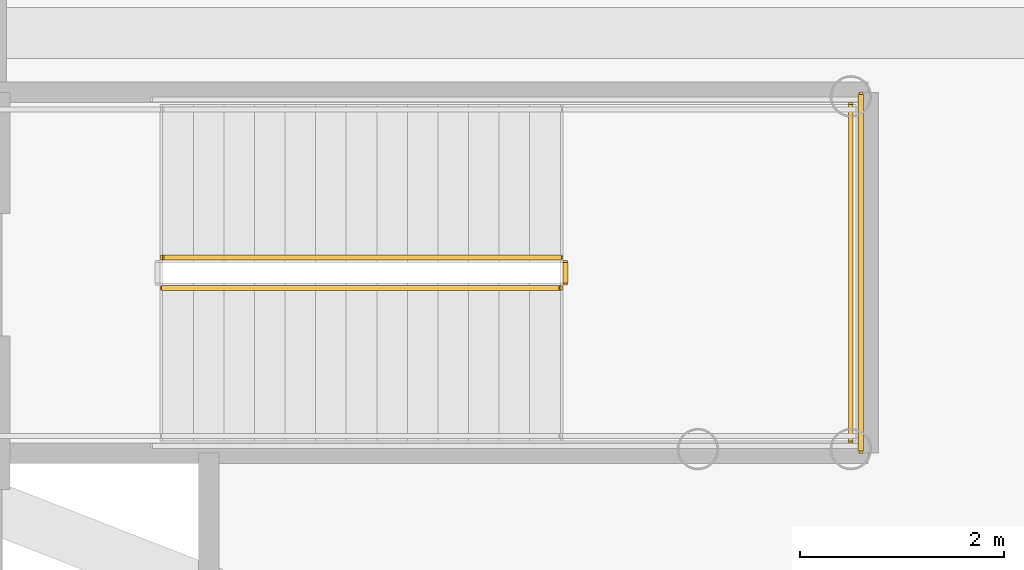
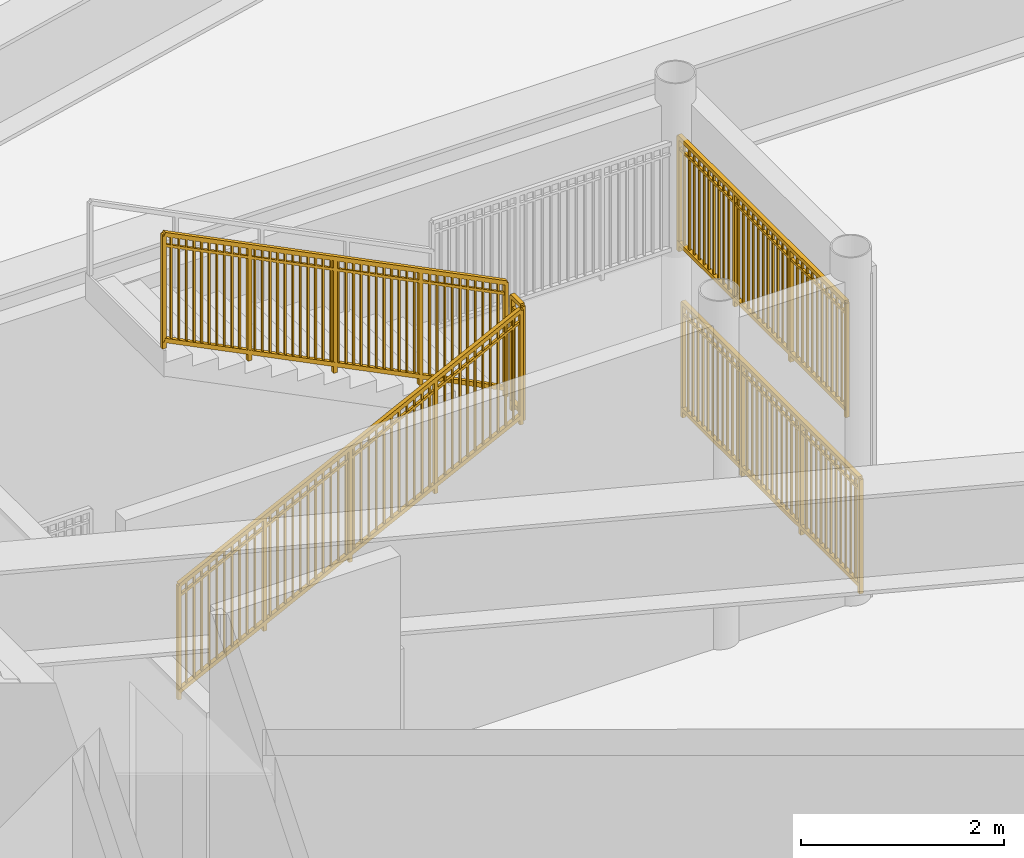
# One storey, part 26 of 27: 5 railings.
"""IFC4 building model written with IfcOpenShell, lengths in metres."""

from ifc_helpers import new_model, si_unit, direction, frame, origin, origin_2d, place, context, subcontext, project, spatial, rectangle, extrude, source, transform, mapped, material, type_object, element, save


model = new_model("IFC4")

# Units and contexts
model_context = context("Model", 3, precision=1e-05, world=origin(), true_north=direction((0.0, 1.0)))
body_context = subcontext(model_context, "Body", "Model", "MODEL_VIEW")
ifc_project = project(units=[si_unit("LENGTHUNIT", "METRE"), si_unit("AREAUNIT", "SQUARE_METRE"), si_unit("VOLUMEUNIT", "CUBIC_METRE"), si_unit("PLANEANGLEUNIT", "RADIAN"), si_unit("MASSUNIT", "GRAM", prefix="KILO")], contexts=[model_context])

# Site, building, storey
site_placement = place(None, origin())
site = spatial("IfcSite", under=ifc_project, at=site_placement, CompositionType="ELEMENT")
building_placement = place(site_placement, origin())
building = spatial("IfcBuilding", under=site, at=building_placement, Name="Linh Dai School and Residence Tower", CompositionType="ELEMENT")
storey_placement = place(building_placement, frame((0.0, 0.0, 22.800048828125)))
storey = spatial("IfcBuildingStorey", under=building, at=storey_placement, Name="L05", CompositionType="ELEMENT", Elevation=22.800048828125)

# Railings
ifc_material = material(Name="Structural Steel S355JR", Category="steel")
railing_type = type_object("IfcRailingType", Name="RL-ST-GUARD-1400", PredefinedType="GUARDRAIL", material=ifc_material)
shared_shape_1 = source(origin(), body_context, "Body", "SweptSolid", [
    extrude(rectangle(XDim=0.048095703125, YDim=0.048095703125, at=origin_2d()), frame((0.0, 0.0, 1.3759765625), z_axis=(0.894427191, 0.0, 0.4472135955), x_axis=(0.0, 1.0, 0.0)), (0.0, 0.0, 1.0), 4.360107421875),
    extrude(rectangle(XDim=0.048095703125, YDim=0.048095703125, at=origin_2d()), frame((0.0, 0.0, 0.10009765625), z_axis=(0.894427191, 0.0, 0.4472135955), x_axis=(0.0, 1.0, 0.0)), (0.0, 0.0, 1.0), 4.360107421875),
    extrude(rectangle(XDim=0.030029296875, YDim=0.030029296875, at=origin_2d()), frame((0.0, 0.0, 1.239990234375), z_axis=(0.894427191, 0.0, 0.4472135955), x_axis=(0.0, 1.0, 0.0)), (0.0, 0.0, 1.0), 4.360107421875),
    extrude(rectangle(XDim=0.02001953125, YDim=0.02001953125, at=origin_2d()), frame((0.086669921875, 0.0, 0.143310546875)), (0.0, 0.0, 1.0), 1.251708984375),
    extrude(rectangle(XDim=0.02001953125, YDim=0.02001953125, at=origin_2d()), frame((0.17333984375, 0.0, 0.186767578125)), (0.0, 0.0, 1.0), 1.251708984375),
    extrude(rectangle(XDim=0.02001953125, YDim=0.02001953125, at=origin_2d()), frame((0.260009765625, 0.0, 0.22998046875)), (0.0, 0.0, 1.0), 1.251708984375),
    extrude(rectangle(XDim=0.02001953125, YDim=0.02001953125, at=origin_2d()), frame((0.3466796875, 0.0, 0.2734375)), (0.0, 0.0, 1.0), 1.251708984375),
    extrude(rectangle(XDim=0.02001953125, YDim=0.02001953125, at=origin_2d()), frame((0.433349609375, 0.0, 0.316650390625)), (0.0, 0.0, 1.0), 1.251708984375),
    extrude(rectangle(XDim=0.02001953125, YDim=0.02001953125, at=origin_2d()), frame((0.52001953125, 0.0, 0.360107421875)), (0.0, 0.0, 1.0), 1.251708984375),
    extrude(rectangle(XDim=0.02001953125, YDim=0.02001953125, at=origin_2d()), frame((0.606689453125, 0.0, 0.4033203125)), (0.0, 0.0, 1.0), 1.251708984375),
    extrude(rectangle(XDim=0.02001953125, YDim=0.02001953125, at=origin_2d()), frame((0.693359375, 0.0, 0.44677734375)), (0.0, 0.0, 1.0), 1.251708984375),
    extrude(rectangle(XDim=0.02001953125, YDim=0.02001953125, at=origin_2d()), frame((0.780029296875, 0.0, 0.489990234375)), (0.0, 0.0, 1.0), 1.251708984375),
    extrude(rectangle(XDim=0.02001953125, YDim=0.02001953125, at=origin_2d()), frame((0.86669921875, 0.0, 0.533447265625)), (0.0, 0.0, 1.0), 1.251708984375),
    extrude(rectangle(XDim=0.02001953125, YDim=0.02001953125, at=origin_2d()), frame((1.0400390625, 0.0, 0.6201171875)), (0.0, 0.0, 1.0), 1.251708984375),
    extrude(rectangle(XDim=0.02001953125, YDim=0.02001953125, at=origin_2d()), frame((1.126708984375, 0.0, 0.663330078125)), (0.0, 0.0, 1.0), 1.251708984375),
    extrude(rectangle(XDim=0.02001953125, YDim=0.02001953125, at=origin_2d()), frame((1.21337890625, 0.0, 0.706787109375)), (0.0, 0.0, 1.0), 1.251708984375),
    extrude(rectangle(XDim=0.02001953125, YDim=0.02001953125, at=origin_2d()), frame((1.300048828125, 0.0, 0.75)), (0.0, 0.0, 1.0), 1.251708984375),
    extrude(rectangle(XDim=0.02001953125, YDim=0.02001953125, at=origin_2d()), frame((1.38671875, 0.0, 0.79345703125)), (0.0, 0.0, 1.0), 1.251708984375),
    extrude(rectangle(XDim=0.02001953125, YDim=0.02001953125, at=origin_2d()), frame((1.473388671875, 0.0, 0.836669921875)), (0.0, 0.0, 1.0), 1.251708984375),
    extrude(rectangle(XDim=0.02001953125, YDim=0.02001953125, at=origin_2d()), frame((1.56005859375, 0.0, 0.880126953125)), (0.0, 0.0, 1.0), 1.251708984375),
    extrude(rectangle(XDim=0.02001953125, YDim=0.02001953125, at=origin_2d()), frame((1.646728515625, 0.0, 0.92333984375)), (0.0, 0.0, 1.0), 1.251708984375),
    extrude(rectangle(XDim=0.02001953125, YDim=0.02001953125, at=origin_2d()), frame((1.7333984375, 0.0, 0.966796875)), (0.0, 0.0, 1.0), 1.251708984375),
    extrude(rectangle(XDim=0.02001953125, YDim=0.02001953125, at=origin_2d()), frame((1.820068359375, 0.0, 1.010009765625)), (0.0, 0.0, 1.0), 1.251708984375),
    extrude(rectangle(XDim=0.02001953125, YDim=0.02001953125, at=origin_2d()), frame((1.90673828125, 0.0, 1.053466796875)), (0.0, 0.0, 1.0), 1.251708984375),
    extrude(rectangle(XDim=0.02001953125, YDim=0.02001953125, at=origin_2d()), frame((1.9931640625, 0.0, 1.0966796875)), (0.0, 0.0, 1.0), 1.251708984375),
    extrude(rectangle(XDim=0.02001953125, YDim=0.02001953125, at=origin_2d()), frame((2.079833984375, 0.0, 1.14013671875)), (0.0, 0.0, 1.0), 1.251708984375),
    extrude(rectangle(XDim=0.02001953125, YDim=0.02001953125, at=origin_2d()), frame((2.16650390625, 0.0, 1.183349609375)), (0.0, 0.0, 1.0), 1.251708984375),
    extrude(rectangle(XDim=0.02001953125, YDim=0.02001953125, at=origin_2d()), frame((2.253173828125, 0.0, 1.226806640625)), (0.0, 0.0, 1.0), 1.251708984375),
    extrude(rectangle(XDim=0.02001953125, YDim=0.02001953125, at=origin_2d()), frame((2.33984375, 0.0, 1.27001953125)), (0.0, 0.0, 1.0), 1.251708984375),
    extrude(rectangle(XDim=0.02001953125, YDim=0.02001953125, at=origin_2d()), frame((2.426513671875, 0.0, 1.3134765625)), (0.0, 0.0, 1.0), 1.251708984375),
    extrude(rectangle(XDim=0.02001953125, YDim=0.02001953125, at=origin_2d()), frame((2.51318359375, 0.0, 1.356689453125)), (0.0, 0.0, 1.0), 1.251708984375),
    extrude(rectangle(XDim=0.02001953125, YDim=0.02001953125, at=origin_2d()), frame((2.599853515625, 0.0, 1.400146484375)), (0.0, 0.0, 1.0), 1.251708984375),
    extrude(rectangle(XDim=0.02001953125, YDim=0.02001953125, at=origin_2d()), frame((2.6865234375, 0.0, 1.443359375)), (0.0, 0.0, 1.0), 1.251708984375),
    extrude(rectangle(XDim=0.02001953125, YDim=0.02001953125, at=origin_2d()), frame((2.773193359375, 0.0, 1.48681640625)), (0.0, 0.0, 1.0), 1.251708984375),
    extrude(rectangle(XDim=0.02001953125, YDim=0.02001953125, at=origin_2d()), frame((2.85986328125, 0.0, 1.530029296875)), (0.0, 0.0, 1.0), 1.251708984375),
    extrude(rectangle(XDim=0.02001953125, YDim=0.02001953125, at=origin_2d()), frame((3.033203125, 0.0, 1.61669921875)), (0.0, 0.0, 1.0), 1.251708984375),
    extrude(rectangle(XDim=0.02001953125, YDim=0.02001953125, at=origin_2d()), frame((3.119873046875, 0.0, 1.66015625)), (0.0, 0.0, 1.0), 1.251708984375),
    extrude(rectangle(XDim=0.02001953125, YDim=0.02001953125, at=origin_2d()), frame((3.20654296875, 0.0, 1.703369140625)), (0.0, 0.0, 1.0), 1.251708984375),
    extrude(rectangle(XDim=0.02001953125, YDim=0.02001953125, at=origin_2d()), frame((3.293212890625, 0.0, 1.746826171875)), (0.0, 0.0, 1.0), 1.251708984375),
    extrude(rectangle(XDim=0.02001953125, YDim=0.02001953125, at=origin_2d()), frame((3.3798828125, 0.0, 1.7900390625)), (0.0, 0.0, 1.0), 1.251708984375),
    extrude(rectangle(XDim=0.02001953125, YDim=0.02001953125, at=origin_2d()), frame((3.466552734375, 0.0, 1.83349609375)), (0.0, 0.0, 1.0), 1.251708984375),
    extrude(rectangle(XDim=0.02001953125, YDim=0.02001953125, at=origin_2d()), frame((3.55322265625, 0.0, 1.876708984375)), (0.0, 0.0, 1.0), 1.251708984375),
    extrude(rectangle(XDim=0.02001953125, YDim=0.02001953125, at=origin_2d()), frame((3.639892578125, 0.0, 1.920166015625)), (0.0, 0.0, 1.0), 1.251708984375),
    extrude(rectangle(XDim=0.02001953125, YDim=0.02001953125, at=origin_2d()), frame((3.7265625, 0.0, 1.96337890625)), (0.0, 0.0, 1.0), 1.251708984375),
    extrude(rectangle(XDim=0.02001953125, YDim=0.02001953125, at=origin_2d()), frame((3.813232421875, 0.0, 2.0068359375)), (0.0, 0.0, 1.0), 1.251708984375),
    extrude(rectangle(XDim=0.0419921875, YDim=0.0419921875, at=origin_2d()), origin(), (0.0, 0.0, 1.0), 1.3759765625),
    extrude(rectangle(XDim=0.0419921875, YDim=0.0419921875, at=origin_2d()), frame((0.97509765625, 0.0, 0.487548828125)), (0.0, 0.0, 1.0), 1.3759765625),
    extrude(rectangle(XDim=0.0419921875, YDim=0.0419921875, at=origin_2d()), frame((1.949951171875, 0.0, 0.97509765625)), (0.0, 0.0, 1.0), 1.3759765625),
    extrude(rectangle(XDim=0.0419921875, YDim=0.0419921875, at=origin_2d()), frame((2.9248046875, 0.0, 1.46240234375)), (0.0, 0.0, 1.0), 1.3759765625),
    extrude(rectangle(XDim=0.0419921875, YDim=0.0419921875, at=origin_2d()), frame((3.89990234375, 0.0, 1.949951171875)), (0.0, 0.0, 1.0), 1.3759765625),
])
railing_1_placement = place(storey_placement, frame((49.60009765625, 24.5, 0.14990234375)))
element("IfcRailing", 1, at=railing_1_placement, inside=storey, type_object=railing_type, Name="L05 STS2 stair guard 1", PredefinedType="GUARDRAIL", context=body_context, shape_type="MappedRepresentation", body=[
    mapped(shared_shape_1, transform((0.0, 0.0, 0.0), x_axis=(1.0, 0.0, 0.0), y_axis=(0.0, 1.0, 0.0), z_axis=(0.0, 0.0, 1.0), scale=1.0)),
])
shared_shape_2 = source(origin(), body_context, "Body", "SweptSolid", [
    extrude(rectangle(XDim=0.048095703125, YDim=0.048095703125, at=origin_2d()), frame((0.0, 0.0, 1.3759765625), z_axis=(-0.894427191, 0.0, 0.4472135955), x_axis=(0.0, -1.0, 0.0)), (0.0, 0.0, 1.0), 4.360107421875),
    extrude(rectangle(XDim=0.048095703125, YDim=0.048095703125, at=origin_2d()), frame((0.0, 0.0, 0.10009765625), z_axis=(-0.894427191, 0.0, 0.4472135955), x_axis=(0.0, -1.0, 0.0)), (0.0, 0.0, 1.0), 4.360107421875),
    extrude(rectangle(XDim=0.030029296875, YDim=0.030029296875, at=origin_2d()), frame((0.0, 0.0, 1.239990234375), z_axis=(-0.894427191, 0.0, 0.4472135955), x_axis=(0.0, -1.0, 0.0)), (0.0, 0.0, 1.0), 4.360107421875),
    extrude(rectangle(XDim=0.02001953125, YDim=0.02001953125, at=origin_2d()), frame((-0.086669921875, 0.0, 0.143310546875)), (0.0, 0.0, 1.0), 1.251708984375),
    extrude(rectangle(XDim=0.02001953125, YDim=0.02001953125, at=origin_2d()), frame((-0.17333984375, 0.0, 0.186767578125)), (0.0, 0.0, 1.0), 1.251708984375),
    extrude(rectangle(XDim=0.02001953125, YDim=0.02001953125, at=origin_2d()), frame((-0.260009765625, 0.0, 0.22998046875)), (0.0, 0.0, 1.0), 1.251708984375),
    extrude(rectangle(XDim=0.02001953125, YDim=0.02001953125, at=origin_2d()), frame((-0.3466796875, 0.0, 0.2734375)), (0.0, 0.0, 1.0), 1.251708984375),
    extrude(rectangle(XDim=0.02001953125, YDim=0.02001953125, at=origin_2d()), frame((-0.433349609375, 0.0, 0.316650390625)), (0.0, 0.0, 1.0), 1.251708984375),
    extrude(rectangle(XDim=0.02001953125, YDim=0.02001953125, at=origin_2d()), frame((-0.52001953125, 0.0, 0.360107421875)), (0.0, 0.0, 1.0), 1.251708984375),
    extrude(rectangle(XDim=0.02001953125, YDim=0.02001953125, at=origin_2d()), frame((-0.606689453125, 0.0, 0.4033203125)), (0.0, 0.0, 1.0), 1.251708984375),
    extrude(rectangle(XDim=0.02001953125, YDim=0.02001953125, at=origin_2d()), frame((-0.693359375, 0.0, 0.44677734375)), (0.0, 0.0, 1.0), 1.251708984375),
    extrude(rectangle(XDim=0.02001953125, YDim=0.02001953125, at=origin_2d()), frame((-0.780029296875, 0.0, 0.489990234375)), (0.0, 0.0, 1.0), 1.251708984375),
    extrude(rectangle(XDim=0.02001953125, YDim=0.02001953125, at=origin_2d()), frame((-0.86669921875, 0.0, 0.533447265625)), (0.0, 0.0, 1.0), 1.251708984375),
    extrude(rectangle(XDim=0.02001953125, YDim=0.02001953125, at=origin_2d()), frame((-1.0400390625, 0.0, 0.6201171875)), (0.0, 0.0, 1.0), 1.251708984375),
    extrude(rectangle(XDim=0.02001953125, YDim=0.02001953125, at=origin_2d()), frame((-1.126708984375, 0.0, 0.663330078125)), (0.0, 0.0, 1.0), 1.251708984375),
    extrude(rectangle(XDim=0.02001953125, YDim=0.02001953125, at=origin_2d()), frame((-1.21337890625, 0.0, 0.706787109375)), (0.0, 0.0, 1.0), 1.251708984375),
    extrude(rectangle(XDim=0.02001953125, YDim=0.02001953125, at=origin_2d()), frame((-1.300048828125, 0.0, 0.75)), (0.0, 0.0, 1.0), 1.251708984375),
    extrude(rectangle(XDim=0.02001953125, YDim=0.02001953125, at=origin_2d()), frame((-1.38671875, 0.0, 0.79345703125)), (0.0, 0.0, 1.0), 1.251708984375),
    extrude(rectangle(XDim=0.02001953125, YDim=0.02001953125, at=origin_2d()), frame((-1.473388671875, 0.0, 0.836669921875)), (0.0, 0.0, 1.0), 1.251708984375),
    extrude(rectangle(XDim=0.02001953125, YDim=0.02001953125, at=origin_2d()), frame((-1.56005859375, 0.0, 0.880126953125)), (0.0, 0.0, 1.0), 1.251708984375),
    extrude(rectangle(XDim=0.02001953125, YDim=0.02001953125, at=origin_2d()), frame((-1.646728515625, 0.0, 0.92333984375)), (0.0, 0.0, 1.0), 1.251708984375),
    extrude(rectangle(XDim=0.02001953125, YDim=0.02001953125, at=origin_2d()), frame((-1.7333984375, 0.0, 0.966796875)), (0.0, 0.0, 1.0), 1.251708984375),
    extrude(rectangle(XDim=0.02001953125, YDim=0.02001953125, at=origin_2d()), frame((-1.820068359375, 0.0, 1.010009765625)), (0.0, 0.0, 1.0), 1.251708984375),
    extrude(rectangle(XDim=0.02001953125, YDim=0.02001953125, at=origin_2d()), frame((-1.90673828125, 0.0, 1.053466796875)), (0.0, 0.0, 1.0), 1.251708984375),
    extrude(rectangle(XDim=0.02001953125, YDim=0.02001953125, at=origin_2d()), frame((-1.9931640625, 0.0, 1.0966796875)), (0.0, 0.0, 1.0), 1.251708984375),
    extrude(rectangle(XDim=0.02001953125, YDim=0.02001953125, at=origin_2d()), frame((-2.079833984375, 0.0, 1.14013671875)), (0.0, 0.0, 1.0), 1.251708984375),
    extrude(rectangle(XDim=0.02001953125, YDim=0.02001953125, at=origin_2d()), frame((-2.16650390625, 0.0, 1.183349609375)), (0.0, 0.0, 1.0), 1.251708984375),
    extrude(rectangle(XDim=0.02001953125, YDim=0.02001953125, at=origin_2d()), frame((-2.253173828125, 0.0, 1.226806640625)), (0.0, 0.0, 1.0), 1.251708984375),
    extrude(rectangle(XDim=0.02001953125, YDim=0.02001953125, at=origin_2d()), frame((-2.33984375, 0.0, 1.27001953125)), (0.0, 0.0, 1.0), 1.251708984375),
    extrude(rectangle(XDim=0.02001953125, YDim=0.02001953125, at=origin_2d()), frame((-2.426513671875, 0.0, 1.3134765625)), (0.0, 0.0, 1.0), 1.251708984375),
    extrude(rectangle(XDim=0.02001953125, YDim=0.02001953125, at=origin_2d()), frame((-2.51318359375, 0.0, 1.356689453125)), (0.0, 0.0, 1.0), 1.251708984375),
    extrude(rectangle(XDim=0.02001953125, YDim=0.02001953125, at=origin_2d()), frame((-2.599853515625, 0.0, 1.400146484375)), (0.0, 0.0, 1.0), 1.251708984375),
    extrude(rectangle(XDim=0.02001953125, YDim=0.02001953125, at=origin_2d()), frame((-2.6865234375, 0.0, 1.443359375)), (0.0, 0.0, 1.0), 1.251708984375),
    extrude(rectangle(XDim=0.02001953125, YDim=0.02001953125, at=origin_2d()), frame((-2.773193359375, 0.0, 1.48681640625)), (0.0, 0.0, 1.0), 1.251708984375),
    extrude(rectangle(XDim=0.02001953125, YDim=0.02001953125, at=origin_2d()), frame((-2.85986328125, 0.0, 1.530029296875)), (0.0, 0.0, 1.0), 1.251708984375),
    extrude(rectangle(XDim=0.02001953125, YDim=0.02001953125, at=origin_2d()), frame((-3.033203125, 0.0, 1.61669921875)), (0.0, 0.0, 1.0), 1.251708984375),
    extrude(rectangle(XDim=0.02001953125, YDim=0.02001953125, at=origin_2d()), frame((-3.119873046875, 0.0, 1.66015625)), (0.0, 0.0, 1.0), 1.251708984375),
    extrude(rectangle(XDim=0.02001953125, YDim=0.02001953125, at=origin_2d()), frame((-3.20654296875, 0.0, 1.703369140625)), (0.0, 0.0, 1.0), 1.251708984375),
    extrude(rectangle(XDim=0.02001953125, YDim=0.02001953125, at=origin_2d()), frame((-3.293212890625, 0.0, 1.746826171875)), (0.0, 0.0, 1.0), 1.251708984375),
    extrude(rectangle(XDim=0.02001953125, YDim=0.02001953125, at=origin_2d()), frame((-3.3798828125, 0.0, 1.7900390625)), (0.0, 0.0, 1.0), 1.251708984375),
    extrude(rectangle(XDim=0.02001953125, YDim=0.02001953125, at=origin_2d()), frame((-3.466552734375, 0.0, 1.83349609375)), (0.0, 0.0, 1.0), 1.251708984375),
    extrude(rectangle(XDim=0.02001953125, YDim=0.02001953125, at=origin_2d()), frame((-3.55322265625, 0.0, 1.876708984375)), (0.0, 0.0, 1.0), 1.251708984375),
    extrude(rectangle(XDim=0.02001953125, YDim=0.02001953125, at=origin_2d()), frame((-3.639892578125, 0.0, 1.920166015625)), (0.0, 0.0, 1.0), 1.251708984375),
    extrude(rectangle(XDim=0.02001953125, YDim=0.02001953125, at=origin_2d()), frame((-3.7265625, 0.0, 1.96337890625)), (0.0, 0.0, 1.0), 1.251708984375),
    extrude(rectangle(XDim=0.02001953125, YDim=0.02001953125, at=origin_2d()), frame((-3.813232421875, 0.0, 2.0068359375)), (0.0, 0.0, 1.0), 1.251708984375),
    extrude(rectangle(XDim=0.0419921875, YDim=0.0419921875, at=origin_2d()), origin(), (0.0, 0.0, 1.0), 1.3759765625),
    extrude(rectangle(XDim=0.0419921875, YDim=0.0419921875, at=origin_2d()), frame((-0.97509765625, 0.0, 0.487548828125)), (0.0, 0.0, 1.0), 1.3759765625),
    extrude(rectangle(XDim=0.0419921875, YDim=0.0419921875, at=origin_2d()), frame((-1.949951171875, 0.0, 0.97509765625)), (0.0, 0.0, 1.0), 1.3759765625),
    extrude(rectangle(XDim=0.0419921875, YDim=0.0419921875, at=origin_2d()), frame((-2.9248046875, 0.0, 1.46240234375)), (0.0, 0.0, 1.0), 1.3759765625),
    extrude(rectangle(XDim=0.0419921875, YDim=0.0419921875, at=origin_2d()), frame((-3.89990234375, 0.0, 1.949951171875)), (0.0, 0.0, 1.0), 1.3759765625),
])
railing_2_placement = place(storey_placement, frame((53.5, 24.800048828125, 2.25)))
element("IfcRailing", 2, at=railing_2_placement, inside=storey, type_object=railing_type, Name="L05 STS2 stair guard 6", PredefinedType="GUARDRAIL", context=body_context, shape_type="MappedRepresentation", body=[
    mapped(shared_shape_2, transform((0.0, 0.0, 0.0), x_axis=(1.0, 0.0, 0.0), y_axis=(0.0, 1.0, 0.0), z_axis=(0.0, 0.0, 1.0), scale=1.0)),
])
shared_shape_3 = source(origin(), body_context, "Body", "SweptSolid", [
    extrude(rectangle(XDim=0.048095703125, YDim=0.048095703125, at=origin_2d()), frame((0.0, 0.0, 1.3759765625), z_axis=(0.0, 1.0, 0.0), x_axis=(-1.0, 0.0, 0.0)), (0.0, 0.0, 1.0), 0.199951171875),
    extrude(rectangle(XDim=0.048095703125, YDim=0.048095703125, at=origin_2d()), frame((0.0, 0.0, 0.10009765625), z_axis=(0.0, 1.0, 0.0), x_axis=(-1.0, 0.0, 0.0)), (0.0, 0.0, 1.0), 0.199951171875),
    extrude(rectangle(XDim=0.030029296875, YDim=0.030029296875, at=origin_2d()), frame((0.0, 0.0, 1.239990234375), z_axis=(0.0, 1.0, 0.0), x_axis=(-1.0, 0.0, 0.0)), (0.0, 0.0, 1.0), 0.199951171875),
    extrude(rectangle(XDim=0.0419921875, YDim=0.0419921875, at=origin_2d()), origin(), (0.0, 0.0, 1.0), 1.3759765625),
    extrude(rectangle(XDim=0.0419921875, YDim=0.0419921875, at=origin_2d()), frame((0.0, 0.199951171875, 0.0)), (0.0, 0.0, 1.0), 1.3759765625),
])
railing_3_placement = place(storey_placement, frame((53.550048828125, 24.550048828125, 2.099853515625)))
element("IfcRailing", 3, at=railing_3_placement, inside=storey, type_object=railing_type, Name="L05 STS2 stair guard 2", PredefinedType="GUARDRAIL", context=body_context, shape_type="MappedRepresentation", body=[
    mapped(shared_shape_3, transform((0.0, 0.0, 0.0), x_axis=(1.0, 0.0, 0.0), y_axis=(0.0, 1.0, 0.0), z_axis=(0.0, 0.0, 1.0), scale=1.0)),
])
shared_shape_4 = source(origin(), body_context, "Body", "SweptSolid", [
    extrude(rectangle(XDim=0.048095703125, YDim=0.048095703125, at=origin_2d()), frame((0.0, 0.0, 1.3759765625), z_axis=(0.0, 1.0, 0.0), x_axis=(-1.0, 0.0, 0.0)), (0.0, 0.0, 1.0), 3.300048828125),
    extrude(rectangle(XDim=0.048095703125, YDim=0.048095703125, at=origin_2d()), frame((0.0, 0.0, 0.10009765625), z_axis=(0.0, 1.0, 0.0), x_axis=(-1.0, 0.0, 0.0)), (0.0, 0.0, 1.0), 3.300048828125),
    extrude(rectangle(XDim=0.030029296875, YDim=0.030029296875, at=origin_2d()), frame((0.0, 0.0, 1.239990234375), z_axis=(0.0, 1.0, 0.0), x_axis=(-1.0, 0.0, 0.0)), (0.0, 0.0, 1.0), 3.300048828125),
    extrude(rectangle(XDim=0.02001953125, YDim=0.02001953125, at=origin_2d()), frame((0.0, 0.09716796875, 0.10009765625)), (0.0, 0.0, 1.0), 1.251708984375),
    extrude(rectangle(XDim=0.02001953125, YDim=0.02001953125, at=origin_2d()), frame((0.0, 0.194091796875, 0.10009765625)), (0.0, 0.0, 1.0), 1.251708984375),
    extrude(rectangle(XDim=0.02001953125, YDim=0.02001953125, at=origin_2d()), frame((0.0, 0.291259765625, 0.10009765625)), (0.0, 0.0, 1.0), 1.251708984375),
    extrude(rectangle(XDim=0.02001953125, YDim=0.02001953125, at=origin_2d()), frame((0.0, 0.38818359375, 0.10009765625)), (0.0, 0.0, 1.0), 1.251708984375),
    extrude(rectangle(XDim=0.02001953125, YDim=0.02001953125, at=origin_2d()), frame((0.0, 0.4853515625, 0.10009765625)), (0.0, 0.0, 1.0), 1.251708984375),
    extrude(rectangle(XDim=0.02001953125, YDim=0.02001953125, at=origin_2d()), frame((0.0, 0.582275390625, 0.10009765625)), (0.0, 0.0, 1.0), 1.251708984375),
    extrude(rectangle(XDim=0.02001953125, YDim=0.02001953125, at=origin_2d()), frame((0.0, 0.679443359375, 0.10009765625)), (0.0, 0.0, 1.0), 1.251708984375),
    extrude(rectangle(XDim=0.02001953125, YDim=0.02001953125, at=origin_2d()), frame((0.0, 0.7763671875, 0.10009765625)), (0.0, 0.0, 1.0), 1.251708984375),
    extrude(rectangle(XDim=0.02001953125, YDim=0.02001953125, at=origin_2d()), frame((0.0, 0.87353515625, 0.10009765625)), (0.0, 0.0, 1.0), 1.251708984375),
    extrude(rectangle(XDim=0.02001953125, YDim=0.02001953125, at=origin_2d()), frame((0.0, 0.970703125, 0.10009765625)), (0.0, 0.0, 1.0), 1.251708984375),
    extrude(rectangle(XDim=0.02001953125, YDim=0.02001953125, at=origin_2d()), frame((0.0, 1.164794921875, 0.10009765625)), (0.0, 0.0, 1.0), 1.251708984375),
    extrude(rectangle(XDim=0.02001953125, YDim=0.02001953125, at=origin_2d()), frame((0.0, 1.26171875, 0.10009765625)), (0.0, 0.0, 1.0), 1.251708984375),
    extrude(rectangle(XDim=0.02001953125, YDim=0.02001953125, at=origin_2d()), frame((0.0, 1.35888671875, 0.10009765625)), (0.0, 0.0, 1.0), 1.251708984375),
    extrude(rectangle(XDim=0.02001953125, YDim=0.02001953125, at=origin_2d()), frame((0.0, 1.455810546875, 0.10009765625)), (0.0, 0.0, 1.0), 1.251708984375),
    extrude(rectangle(XDim=0.02001953125, YDim=0.02001953125, at=origin_2d()), frame((0.0, 1.552978515625, 0.10009765625)), (0.0, 0.0, 1.0), 1.251708984375),
    extrude(rectangle(XDim=0.02001953125, YDim=0.02001953125, at=origin_2d()), frame((0.0, 1.64990234375, 0.10009765625)), (0.0, 0.0, 1.0), 1.251708984375),
    extrude(rectangle(XDim=0.02001953125, YDim=0.02001953125, at=origin_2d()), frame((0.0, 1.7470703125, 0.10009765625)), (0.0, 0.0, 1.0), 1.251708984375),
    extrude(rectangle(XDim=0.02001953125, YDim=0.02001953125, at=origin_2d()), frame((0.0, 1.84423828125, 0.10009765625)), (0.0, 0.0, 1.0), 1.251708984375),
    extrude(rectangle(XDim=0.02001953125, YDim=0.02001953125, at=origin_2d()), frame((0.0, 1.941162109375, 0.10009765625)), (0.0, 0.0, 1.0), 1.251708984375),
    extrude(rectangle(XDim=0.02001953125, YDim=0.02001953125, at=origin_2d()), frame((0.0, 2.038330078125, 0.10009765625)), (0.0, 0.0, 1.0), 1.251708984375),
    extrude(rectangle(XDim=0.02001953125, YDim=0.02001953125, at=origin_2d()), frame((0.0, 2.13525390625, 0.10009765625)), (0.0, 0.0, 1.0), 1.251708984375),
    extrude(rectangle(XDim=0.02001953125, YDim=0.02001953125, at=origin_2d()), frame((0.0, 2.329345703125, 0.10009765625)), (0.0, 0.0, 1.0), 1.251708984375),
    extrude(rectangle(XDim=0.02001953125, YDim=0.02001953125, at=origin_2d()), frame((0.0, 2.426513671875, 0.10009765625)), (0.0, 0.0, 1.0), 1.251708984375),
    extrude(rectangle(XDim=0.02001953125, YDim=0.02001953125, at=origin_2d()), frame((0.0, 2.523681640625, 0.10009765625)), (0.0, 0.0, 1.0), 1.251708984375),
    extrude(rectangle(XDim=0.02001953125, YDim=0.02001953125, at=origin_2d()), frame((0.0, 2.62060546875, 0.10009765625)), (0.0, 0.0, 1.0), 1.251708984375),
    extrude(rectangle(XDim=0.02001953125, YDim=0.02001953125, at=origin_2d()), frame((0.0, 2.7177734375, 0.10009765625)), (0.0, 0.0, 1.0), 1.251708984375),
    extrude(rectangle(XDim=0.02001953125, YDim=0.02001953125, at=origin_2d()), frame((0.0, 2.814697265625, 0.10009765625)), (0.0, 0.0, 1.0), 1.251708984375),
    extrude(rectangle(XDim=0.02001953125, YDim=0.02001953125, at=origin_2d()), frame((0.0, 2.911865234375, 0.10009765625)), (0.0, 0.0, 1.0), 1.251708984375),
    extrude(rectangle(XDim=0.02001953125, YDim=0.02001953125, at=origin_2d()), frame((0.0, 3.0087890625, 0.10009765625)), (0.0, 0.0, 1.0), 1.251708984375),
    extrude(rectangle(XDim=0.02001953125, YDim=0.02001953125, at=origin_2d()), frame((0.0, 3.10595703125, 0.10009765625)), (0.0, 0.0, 1.0), 1.251708984375),
    extrude(rectangle(XDim=0.02001953125, YDim=0.02001953125, at=origin_2d()), frame((0.0, 3.202880859375, 0.10009765625)), (0.0, 0.0, 1.0), 1.251708984375),
    extrude(rectangle(XDim=0.0419921875, YDim=0.0419921875, at=origin_2d()), origin(), (0.0, 0.0, 1.0), 1.3759765625),
    extrude(rectangle(XDim=0.0419921875, YDim=0.0419921875, at=origin_2d()), frame((0.0, 1.10009765625, 0.0)), (0.0, 0.0, 1.0), 1.3759765625),
    extrude(rectangle(XDim=0.0419921875, YDim=0.0419921875, at=origin_2d()), frame((0.0, 2.199951171875, 0.0)), (0.0, 0.0, 1.0), 1.3759765625),
    extrude(rectangle(XDim=0.0419921875, YDim=0.0419921875, at=origin_2d()), frame((0.0, 3.300048828125, 0.0)), (0.0, 0.0, 1.0), 1.3759765625),
])
railing_4_placement = place(storey_placement, frame((56.35009765625, 23.0, 2.099853515625)))
element("IfcRailing", 4, at=railing_4_placement, inside=storey, type_object=railing_type, Name="L05 STS2 stair guard 5", PredefinedType="GUARDRAIL", context=body_context, shape_type="MappedRepresentation", body=[
    mapped(shared_shape_4, transform((0.0, 0.0, 0.0), x_axis=(1.0, 0.0, 0.0), y_axis=(0.0, 1.0, 0.0), z_axis=(0.0, 0.0, 1.0), scale=1.0)),
])
shared_shape_5 = source(origin(), body_context, "Body", "SweptSolid", [
    extrude(rectangle(XDim=0.048095703125, YDim=0.048095703125, at=origin_2d()), frame((0.0, 0.0, 1.3759765625), z_axis=(0.0, 1.0, 0.0), x_axis=(-1.0, 0.0, 0.0)), (0.0, 0.0, 1.0), 3.5),
    extrude(rectangle(XDim=0.048095703125, YDim=0.048095703125, at=origin_2d()), frame((0.0, 0.0, 0.10009765625), z_axis=(0.0, 1.0, 0.0), x_axis=(-1.0, 0.0, 0.0)), (0.0, 0.0, 1.0), 3.5),
    extrude(rectangle(XDim=0.030029296875, YDim=0.030029296875, at=origin_2d()), frame((0.0, 0.0, 1.239990234375), z_axis=(0.0, 1.0, 0.0), x_axis=(-1.0, 0.0, 0.0)), (0.0, 0.0, 1.0), 3.5),
    extrude(rectangle(XDim=0.02001953125, YDim=0.02001953125, at=origin_2d()), frame((0.0, 0.09716796875, 0.10009765625)), (0.0, 0.0, 1.0), 1.251708984375),
    extrude(rectangle(XDim=0.02001953125, YDim=0.02001953125, at=origin_2d()), frame((0.0, 0.1943359375, 0.10009765625)), (0.0, 0.0, 1.0), 1.251708984375),
    extrude(rectangle(XDim=0.02001953125, YDim=0.02001953125, at=origin_2d()), frame((0.0, 0.291748046875, 0.10009765625)), (0.0, 0.0, 1.0), 1.251708984375),
    extrude(rectangle(XDim=0.02001953125, YDim=0.02001953125, at=origin_2d()), frame((0.0, 0.388916015625, 0.10009765625)), (0.0, 0.0, 1.0), 1.251708984375),
    extrude(rectangle(XDim=0.02001953125, YDim=0.02001953125, at=origin_2d()), frame((0.0, 0.486083984375, 0.10009765625)), (0.0, 0.0, 1.0), 1.251708984375),
    extrude(rectangle(XDim=0.02001953125, YDim=0.02001953125, at=origin_2d()), frame((0.0, 0.583251953125, 0.10009765625)), (0.0, 0.0, 1.0), 1.251708984375),
    extrude(rectangle(XDim=0.02001953125, YDim=0.02001953125, at=origin_2d()), frame((0.0, 0.6806640625, 0.10009765625)), (0.0, 0.0, 1.0), 1.251708984375),
    extrude(rectangle(XDim=0.02001953125, YDim=0.02001953125, at=origin_2d()), frame((0.0, 0.77783203125, 0.10009765625)), (0.0, 0.0, 1.0), 1.251708984375),
    extrude(rectangle(XDim=0.02001953125, YDim=0.02001953125, at=origin_2d()), frame((0.0, 0.875, 0.10009765625)), (0.0, 0.0, 1.0), 1.251708984375),
    extrude(rectangle(XDim=0.02001953125, YDim=0.02001953125, at=origin_2d()), frame((0.0, 0.97216796875, 0.10009765625)), (0.0, 0.0, 1.0), 1.251708984375),
    extrude(rectangle(XDim=0.02001953125, YDim=0.02001953125, at=origin_2d()), frame((0.0, 1.0693359375, 0.10009765625)), (0.0, 0.0, 1.0), 1.251708984375),
    extrude(rectangle(XDim=0.02001953125, YDim=0.02001953125, at=origin_2d()), frame((0.0, 1.263916015625, 0.10009765625)), (0.0, 0.0, 1.0), 1.251708984375),
    extrude(rectangle(XDim=0.02001953125, YDim=0.02001953125, at=origin_2d()), frame((0.0, 1.361083984375, 0.10009765625)), (0.0, 0.0, 1.0), 1.251708984375),
    extrude(rectangle(XDim=0.02001953125, YDim=0.02001953125, at=origin_2d()), frame((0.0, 1.458251953125, 0.10009765625)), (0.0, 0.0, 1.0), 1.251708984375),
    extrude(rectangle(XDim=0.02001953125, YDim=0.02001953125, at=origin_2d()), frame((0.0, 1.5556640625, 0.10009765625)), (0.0, 0.0, 1.0), 1.251708984375),
    extrude(rectangle(XDim=0.02001953125, YDim=0.02001953125, at=origin_2d()), frame((0.0, 1.65283203125, 0.10009765625)), (0.0, 0.0, 1.0), 1.251708984375),
    extrude(rectangle(XDim=0.02001953125, YDim=0.02001953125, at=origin_2d()), frame((0.0, 1.75, 0.10009765625)), (0.0, 0.0, 1.0), 1.251708984375),
    extrude(rectangle(XDim=0.02001953125, YDim=0.02001953125, at=origin_2d()), frame((0.0, 1.84716796875, 0.10009765625)), (0.0, 0.0, 1.0), 1.251708984375),
    extrude(rectangle(XDim=0.02001953125, YDim=0.02001953125, at=origin_2d()), frame((0.0, 1.9443359375, 0.10009765625)), (0.0, 0.0, 1.0), 1.251708984375),
    extrude(rectangle(XDim=0.02001953125, YDim=0.02001953125, at=origin_2d()), frame((0.0, 2.041748046875, 0.10009765625)), (0.0, 0.0, 1.0), 1.251708984375),
    extrude(rectangle(XDim=0.02001953125, YDim=0.02001953125, at=origin_2d()), frame((0.0, 2.138916015625, 0.10009765625)), (0.0, 0.0, 1.0), 1.251708984375),
    extrude(rectangle(XDim=0.02001953125, YDim=0.02001953125, at=origin_2d()), frame((0.0, 2.236083984375, 0.10009765625)), (0.0, 0.0, 1.0), 1.251708984375),
    extrude(rectangle(XDim=0.02001953125, YDim=0.02001953125, at=origin_2d()), frame((0.0, 2.4306640625, 0.10009765625)), (0.0, 0.0, 1.0), 1.251708984375),
    extrude(rectangle(XDim=0.02001953125, YDim=0.02001953125, at=origin_2d()), frame((0.0, 2.52783203125, 0.10009765625)), (0.0, 0.0, 1.0), 1.251708984375),
    extrude(rectangle(XDim=0.02001953125, YDim=0.02001953125, at=origin_2d()), frame((0.0, 2.625, 0.10009765625)), (0.0, 0.0, 1.0), 1.251708984375),
    extrude(rectangle(XDim=0.02001953125, YDim=0.02001953125, at=origin_2d()), frame((0.0, 2.72216796875, 0.10009765625)), (0.0, 0.0, 1.0), 1.251708984375),
    extrude(rectangle(XDim=0.02001953125, YDim=0.02001953125, at=origin_2d()), frame((0.0, 2.8193359375, 0.10009765625)), (0.0, 0.0, 1.0), 1.251708984375),
    extrude(rectangle(XDim=0.02001953125, YDim=0.02001953125, at=origin_2d()), frame((0.0, 2.916748046875, 0.10009765625)), (0.0, 0.0, 1.0), 1.251708984375),
    extrude(rectangle(XDim=0.02001953125, YDim=0.02001953125, at=origin_2d()), frame((0.0, 3.013916015625, 0.10009765625)), (0.0, 0.0, 1.0), 1.251708984375),
    extrude(rectangle(XDim=0.02001953125, YDim=0.02001953125, at=origin_2d()), frame((0.0, 3.111083984375, 0.10009765625)), (0.0, 0.0, 1.0), 1.251708984375),
    extrude(rectangle(XDim=0.02001953125, YDim=0.02001953125, at=origin_2d()), frame((0.0, 3.208251953125, 0.10009765625)), (0.0, 0.0, 1.0), 1.251708984375),
    extrude(rectangle(XDim=0.02001953125, YDim=0.02001953125, at=origin_2d()), frame((0.0, 3.3056640625, 0.10009765625)), (0.0, 0.0, 1.0), 1.251708984375),
    extrude(rectangle(XDim=0.02001953125, YDim=0.02001953125, at=origin_2d()), frame((0.0, 3.40283203125, 0.10009765625)), (0.0, 0.0, 1.0), 1.251708984375),
    extrude(rectangle(XDim=0.0419921875, YDim=0.0419921875, at=origin_2d()), origin(), (0.0, 0.0, 1.0), 1.3759765625),
    extrude(rectangle(XDim=0.0419921875, YDim=0.0419921875, at=origin_2d()), frame((0.0, 1.166748046875, 0.0)), (0.0, 0.0, 1.0), 1.3759765625),
    extrude(rectangle(XDim=0.0419921875, YDim=0.0419921875, at=origin_2d()), frame((0.0, 2.333251953125, 0.0)), (0.0, 0.0, 1.0), 1.3759765625),
    extrude(rectangle(XDim=0.0419921875, YDim=0.0419921875, at=origin_2d()), frame((0.0, 3.5, 0.0)), (0.0, 0.0, 1.0), 1.3759765625),
])
railing_5_placement = place(storey_placement, frame((56.449951171875, 22.89990234375, 0.0)))
element("IfcRailing", 5, at=railing_5_placement, inside=storey, type_object=railing_type, Name="L05 STS2 stair guard 12", PredefinedType="GUARDRAIL", context=body_context, shape_type="MappedRepresentation", body=[
    mapped(shared_shape_5, transform((0.0, 0.0, 0.0), x_axis=(1.0, 0.0, 0.0), y_axis=(0.0, 1.0, 0.0), z_axis=(0.0, 0.0, 1.0), scale=1.0)),
])

save(model, "model.ifc")
